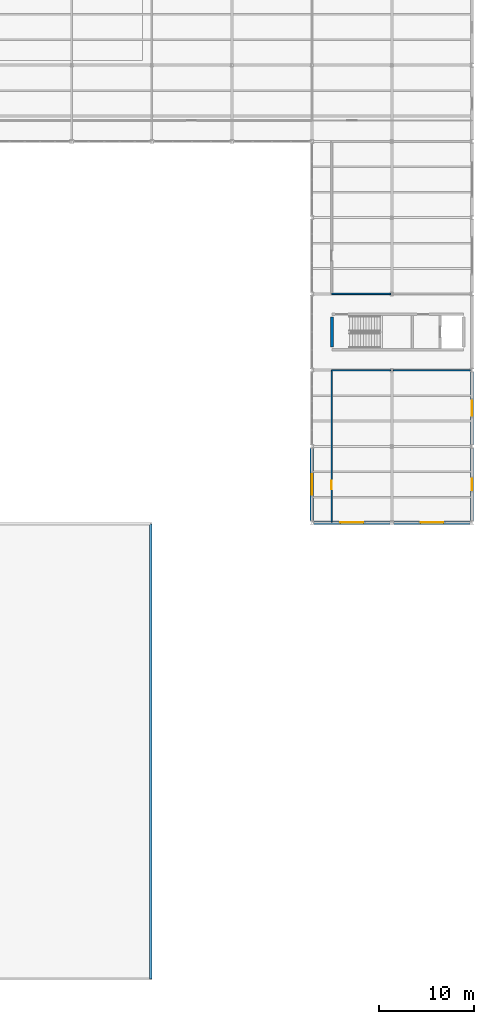
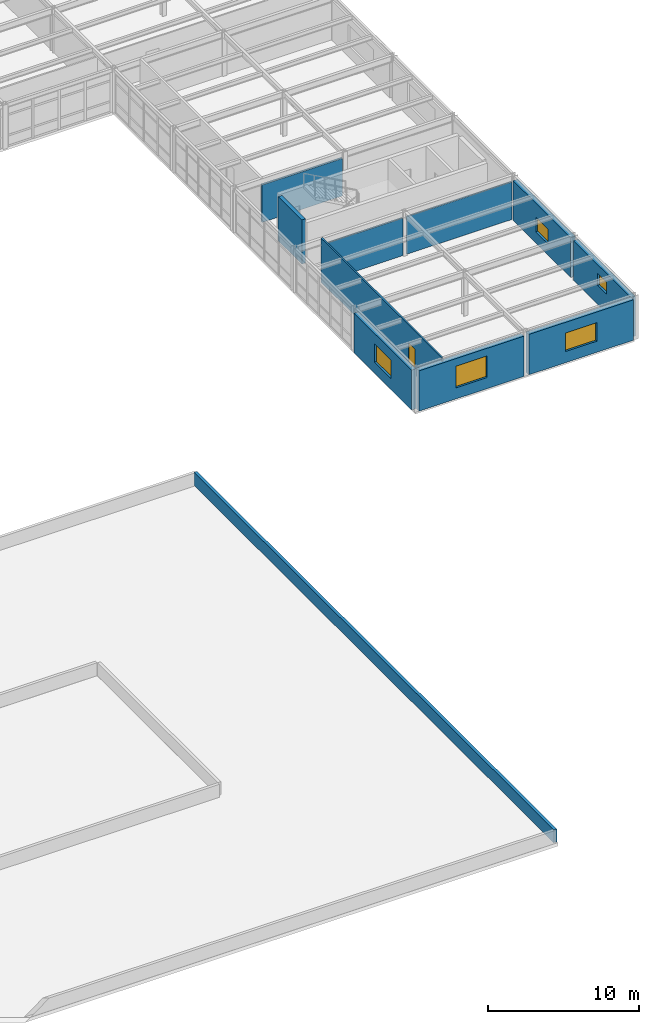
# One storey, part 53 of 96: 11 walls, 5 windows, 1 door, 6 openings.
"""IFC4 building model written with IfcOpenShell, lengths in metres."""

import ifcopenshell
import ifcopenshell.guid

model = None  # the IFC model being written
_history = None  # IfcOwnerHistory: only IFC2X3 demands one
_inside = {}  # id of a spatial element -> (the spatial element, [elements in it])
_under = {}  # id of a project, library or spatial element -> (it, [spatial elements below it])
_declared = {}  # id of a project -> (the project, [libraries it declares])
_typed = {}  # id of a type object -> (the type object, [elements of that type])
_made_of = {}  # id of a material, layer set ... -> (it, [elements and type objects made of it])


def new_model(schema):
    """Start an empty IFC model of exactly this schema.

    Asked for "IFC4X3", IfcOpenShell would pick the latest addendum, in which some entities
    have other attributes; the version numbers below select the first issue.
    IFC2X3 requires an IfcOwnerHistory on every rooted entity: one is made here for all.
    """
    global model, _history
    if schema == "IFC4X3":
        model = ifcopenshell.file(schema_version=(4, 3, 0, 0))
    else:
        model = ifcopenshell.file(schema=schema)
    _inside.clear()
    _under.clear()
    _declared.clear()
    _typed.clear()
    _made_of.clear()
    _history = None
    if model.schema == "IFC2X3":
        org = make("IfcOrganization", Name="unknown")
        user = make(
            "IfcPersonAndOrganization",
            ThePerson=make("IfcPerson", FamilyName="unknown"),
            TheOrganization=org,
        )
        app = make(
            "IfcApplication",
            ApplicationDeveloper=org,
            Version="unknown",
            ApplicationFullName="unknown",
            ApplicationIdentifier="unknown",
        )
        _history = make(
            "IfcOwnerHistory",
            OwningUser=user,
            OwningApplication=app,
            ChangeAction="ADDED",
            CreationDate=0,
        )
    return model


def make(cls, **values):
    """One entity of the class cls with the attributes given. An attribute that is None is left unset."""
    return model.create_entity(
        cls, **{name: value for name, value in values.items() if value is not None}
    )


def rooted(cls, **values):
    """An entity with a GlobalId (a new one), such as an element, a storey or a relation."""
    return make(cls, GlobalId=ifcopenshell.guid.new(), OwnerHistory=_history, **values)


def si_unit(unit_type, name, prefix=None):
    """IfcSIUnit, for example si_unit("LENGTHUNIT", "METRE", prefix="MILLI")."""
    return make("IfcSIUnit", UnitType=unit_type, Prefix=prefix, Name=name)


def assignment(units):
    """IfcUnitAssignment: the units of a project."""
    return None if units is None else make("IfcUnitAssignment", Units=units)


def point(xyz):
    """IfcCartesianPoint."""
    return None if xyz is None else make("IfcCartesianPoint", Coordinates=xyz)


def direction(xyz):
    """IfcDirection."""
    return None if xyz is None else make("IfcDirection", DirectionRatios=xyz)


def frame(location, z_axis=None, x_axis=None):
    """IfcAxis2Placement3D, a coordinate frame: its origin and axes. An axis left out is left unset."""
    return make(
        "IfcAxis2Placement3D",
        Location=point(location),
        Axis=direction(z_axis),
        RefDirection=direction(x_axis),
    )


def frame_2d(location, x_axis=None):
    """IfcAxis2Placement2D, a coordinate frame in the plane: its origin and x axis."""
    return make(
        "IfcAxis2Placement2D", Location=point(location), RefDirection=direction(x_axis)
    )


def origin():
    """The frame at (0, 0, 0) with its axes left unset."""
    return frame((0.0, 0.0, 0.0))


def place(relative_to, where):
    """IfcLocalPlacement: puts the frame where relative to a parent placement (None: the world)."""
    return make(
        "IfcLocalPlacement", PlacementRelTo=relative_to, RelativePlacement=where
    )


def context(
    kind, dimensions, precision=None, world=None, true_north=None, identifier=None
):
    """IfcGeometricRepresentationContext, for example the 3D "Model" context."""
    return make(
        "IfcGeometricRepresentationContext",
        ContextIdentifier=identifier,
        ContextType=kind,
        CoordinateSpaceDimension=dimensions,
        Precision=precision,
        WorldCoordinateSystem=world,
        TrueNorth=true_north,
    )


def subcontext(parent, identifier, kind, view, scale=None):
    """IfcGeometricRepresentationSubContext, for example "Body" below "Model"."""
    return make(
        "IfcGeometricRepresentationSubContext",
        ContextIdentifier=identifier,
        ContextType=kind,
        ParentContext=parent,
        TargetScale=scale,
        TargetView=view,
    )


def project(units=None, contexts=None):
    """IfcProject with its units and contexts."""
    return rooted(
        "IfcProject",
        Name="project",
        RepresentationContexts=contexts,
        UnitsInContext=assignment(units),
    )


def spatial(cls, under=None, at=None, **own):
    """A site, building, storey or space (cls), placed at a placement, below another one or the project."""
    s = rooted(cls, ObjectPlacement=at, **own)
    if under is not None:
        _under.setdefault(under.id(), (under, []))[1].append(s)
    return s


def profile(cls, at=None, kind="AREA", **sizes):
    """A parametric profile (cls). Its sizes go by their IFC names, for example OverallWidth=200.0."""
    return make(cls, ProfileType=kind, Position=at, **sizes)


def rectangle(**sizes):
    """IfcRectangleProfileDef."""
    return profile("IfcRectangleProfileDef", **sizes)


def extrude(swept, where, along, depth):
    """IfcExtrudedAreaSolid: the profile swept, set in the frame where, extruded along a direction by depth."""
    return make(
        "IfcExtrudedAreaSolid",
        SweptArea=swept,
        Position=where,
        ExtrudedDirection=direction(along),
        Depth=depth,
    )


def shape(context_of_items, identifier, shape_type, items):
    """IfcShapeRepresentation: the items that make up one representation, for example the "Body"."""
    return make(
        "IfcShapeRepresentation",
        ContextOfItems=context_of_items,
        RepresentationIdentifier=identifier,
        RepresentationType=shape_type,
        Items=items,
    )


def material(Name=None, Category=None):
    """IfcMaterial."""
    return make("IfcMaterial", Name=Name, Category=Category)


def layer(
    of_material, thickness, ventilated=None, Name=None, Category=None, Priority=None
):
    """IfcMaterialLayer: one layer of a wall or slab, of a material (None: an air gap)."""
    return make(
        "IfcMaterialLayer",
        Material=of_material,
        LayerThickness=thickness,
        IsVentilated=ventilated,
        Name=Name,
        Category=Category,
        Priority=Priority,
    )


def layer_set(layers, Name=None):
    """IfcMaterialLayerSet."""
    return make("IfcMaterialLayerSet", MaterialLayers=layers, LayerSetName=Name)


def made_of(thing, what):
    """Note that an element or type object is made of a material, layer set ...; save() writes the relation."""
    if what is not None:
        _made_of.setdefault(what.id(), (what, []))[1].append(thing)
    return thing


def type_object(cls, material=None, **own):
    """A type object (cls), such as IfcWallType, which elements share."""
    return made_of(rooted(cls, **own), material)


def element(
    cls,
    number,
    at=None,
    inside=None,
    cuts=None,
    type_object=None,
    material=None,
    context=None,
    identifier="Body",
    shape_type=None,
    held_by="IfcProductDefinitionShape",
    body=None,
    shapes=None,
    **own,
):
    """One element of the class cls, such as IfcWall. Its Tag is "e" and its number.

    at: its placement. inside: the storey or other place that contains it. cuts: it is an
    opening in that element (IfcRelVoidsElement). A single representation is given by context,
    identifier, shape_type and body (its items); several are given by shapes. held_by: the class
    of the entity that holds the representations. save() writes the other relations.
    """
    e = rooted(cls, Tag="e%d" % number, ObjectPlacement=at, **own)
    if body is not None:
        shapes = [shape(context, identifier, shape_type, body)]
    if shapes is not None:
        e.Representation = make(held_by, Representations=shapes)
    if inside is not None:
        _inside.setdefault(inside.id(), (inside, []))[1].append(e)
    if cuts is not None:
        rooted(
            "IfcRelVoidsElement", RelatingBuildingElement=cuts, RelatedOpeningElement=e
        )
    if type_object is not None:
        _typed.setdefault(type_object.id(), (type_object, []))[1].append(e)
    return made_of(e, material)


def fill(opening, filler):
    """IfcRelFillsElement: the door or window that sits in an opening."""
    return rooted(
        "IfcRelFillsElement",
        RelatingOpeningElement=opening,
        RelatedBuildingElement=filler,
    )


def aggregate(whole, parts):
    """IfcRelAggregates: a whole, such as a stair, and the parts it consists of."""
    return rooted("IfcRelAggregates", RelatingObject=whole, RelatedObjects=parts)


def save(model, path):
    """Write the relations noted so far, then the file.

    IfcRelAggregates (storeys below a building ...), IfcRelContainedInSpatialStructure (elements
    in a storey), IfcRelDefinesByType, IfcRelAssociatesMaterial and IfcRelDeclares: one each for
    every whole, place, type object, material and project.
    """
    for whole, parts in _under.values():
        aggregate(whole, parts)
    for where, things in _inside.values():
        rooted(
            "IfcRelContainedInSpatialStructure",
            RelatedElements=things,
            RelatingStructure=where,
        )
    for kind, things in _typed.values():
        rooted("IfcRelDefinesByType", RelatedObjects=things, RelatingType=kind)
    for what, things in _made_of.values():
        rooted("IfcRelAssociatesMaterial", RelatedObjects=things, RelatingMaterial=what)
    for by, libraries in _declared.values():
        rooted("IfcRelDeclares", RelatingContext=by, RelatedDefinitions=libraries)
    model.write(path)


model = new_model("IFC4")

# Units and contexts
model_context = context("Model", 3, precision=1e-05, world=origin(), true_north=direction((0.0, 1.0)))
body_context = subcontext(model_context, "Body", "Model", "MODEL_VIEW")
ifc_project = project(units=[si_unit("LENGTHUNIT", "METRE"), si_unit("AREAUNIT", "SQUARE_METRE"), si_unit("VOLUMEUNIT", "CUBIC_METRE"), si_unit("PLANEANGLEUNIT", "RADIAN"), si_unit("MASSUNIT", "GRAM", prefix="KILO")], contexts=[model_context])

# Site, building, storey
site_placement = place(None, origin())
site = spatial("IfcSite", under=ifc_project, at=site_placement, CompositionType="ELEMENT")
building_placement = place(site_placement, origin())
building = spatial("IfcBuilding", under=site, at=building_placement, Name="Kranzveld Transit Interchange", CompositionType="ELEMENT")
storey_placement = place(building_placement, frame((0.0, 0.0, 9.52001953125)))
storey = spatial("IfcBuildingStorey", under=building, at=storey_placement, Name="L02", CompositionType="ELEMENT", Elevation=9.52001953125)

# Walls
ifc_material_1 = material(Name="Clay masonry unit wall, 20 MPa", Category="masonry")
ifc_layer_1 = layer(ifc_material_1, 0.1650390625)
ifc_layer_set_1 = layer_set([ifc_layer_1], Name="Clay masonry unit wall, 20 MPa")
wall_type_1 = type_object("IfcWallType", Name="Acoustic Double-Stud Partition 165", PredefinedType="PARTITIONING", material=ifc_layer_set_1)
wall_1_placement = place(storey_placement, frame((153.280029296875, 80.0, 0.0), z_axis=(0.0, 0.0, 1.0), x_axis=(1.0, 0.0, 0.0)))
element("IfcWall", 1, at=wall_1_placement, inside=storey, type_object=wall_type_1, Name="L02 Partition IW-L02-L02V4E-S-221-0", PredefinedType="PARTITIONING", context=body_context, shape_type="SweptSolid", body=[
    extrude(rectangle(XDim=6.172607421875, YDim=0.1650390625, at=frame_2d((3.08642578125, 0.0))), origin(), (0.0, 0.0, 1.0), 3.036865234375),
])
ifc_material_2 = material(Name="Concrete C40/50", Category="concrete")
ifc_layer_2 = layer(ifc_material_2, 0.300048828125)
ifc_layer_set_2 = layer_set([ifc_layer_2], Name="Concrete C40/50")
wall_type_2 = type_object("IfcWallType", Name="Core Shear Wall RC 300 C40/50", PredefinedType="SHEAR", material=ifc_layer_set_2)
wall_2_placement = place(storey_placement, frame((153.300048828125, 74.43994140625, 0.0), z_axis=(0.0, 0.0, 1.0), x_axis=(0.0, 1.0, 0.0)))
element("IfcWall", 2, at=wall_2_placement, inside=storey, type_object=wall_type_2, Name="L02 Community East Core C4 Shear Wall W", PredefinedType="SHEAR", context=body_context, shape_type="SweptSolid", body=[
    extrude(rectangle(XDim=3.1201171875, YDim=0.300048828125, at=frame_2d((1.56005859375, 0.0))), origin(), (0.0, 0.0, 1.0), 3.570068359375),
])

# Wall, opening, window
ifc_material_3 = material(Name="Pretoria red-purple clinker clay face brick, 35 MPa", Category="masonry")
ifc_layer_3 = layer(ifc_material_3, 0.360107421875)
ifc_layer_set_3 = layer_set([ifc_layer_3], Name="Pretoria red-purple clinker clay face brick, 35 MPa")
wall_type_3 = type_object("IfcWallType", Name="Exterior Cavity Wall Red Clinker 360", PredefinedType="SOLIDWALL", material=ifc_layer_set_3)
wall_3_placement = place(storey_placement, frame((151.38720703125, 56.0, 0.0), z_axis=(0.0, 0.0, 1.0), x_axis=(1.0, 0.0, 0.0)))
wall_3 = element("IfcWall", 3, at=wall_3_placement, inside=storey, type_object=wall_type_3, Name="L02 Clinker Facade Wall 19/H-20/H", PredefinedType="SOLIDWALL", context=body_context, shape_type="SweptSolid", body=[
    extrude(rectangle(XDim=8.025390625, YDim=0.360107421875, at=frame_2d((4.0126953125, 0.0))), origin(), (0.0, 0.0, 1.0), 3.27001953125),
])
opening_1_placement = place(wall_3_placement, frame((2.812744140625, 0.0, 0.89990234375), z_axis=(0.0, 0.0, 1.0), x_axis=(1.0, 0.0, 0.0)))
opening_1 = element("IfcOpeningElement", 4, at=opening_1_placement, cuts=wall_3, Name="Opening W-07", PredefinedType="OPENING", context=body_context, shape_type="SweptSolid", body=[
    extrude(rectangle(XDim=2.39990234375, YDim=1.75, at=frame_2d((1.199951171875, 0.875))), frame((0.0, 0.18994140625, 0.0), z_axis=(0.0, -1.0, 0.0), x_axis=(1.0, 0.0, 0.0)), (0.0, 0.0, 1.0), 0.380126953125),
])
ifc_material_4 = material(Name="Solar-control double glazing", Category="glass")
window_type_1 = type_object("IfcWindowType", Name="Window Civic Double 2400x1750", PartitioningType="DOUBLE_PANEL_VERTICAL", PredefinedType="WINDOW", material=ifc_material_4)
window_1_placement = place(opening_1_placement, origin())
window_1 = element("IfcWindow", 5, at=window_1_placement, inside=storey, type_object=window_type_1, Name="L02 Facade Window 19/H", OverallHeight=1.75, OverallWidth=2.39990234375, PartitioningType="DOUBLE_PANEL_VERTICAL", PredefinedType="WINDOW", context=body_context, shape_type="SweptSolid", body=[
    extrude(rectangle(XDim=2.39990234375, YDim=1.75, at=frame_2d((1.199951171875, 0.875))), frame((0.0, 0.030029296875, 0.0), z_axis=(0.0, -1.0, 0.0), x_axis=(1.0, 0.0, 0.0)), (0.0, 0.0, 1.0), 0.06005859375),
])
fill(opening_1, window_1)

wall_4_placement = place(storey_placement, frame((159.787353515625, 56.0, 0.0), z_axis=(0.0, 0.0, 1.0), x_axis=(1.0, 0.0, 0.0)))
wall_4 = element("IfcWall", 6, at=wall_4_placement, inside=storey, type_object=wall_type_3, Name="L02 Clinker Facade Wall 20/H-21/H", PredefinedType="SOLIDWALL", context=body_context, shape_type="SweptSolid", body=[
    extrude(rectangle(XDim=8.025390625, YDim=0.360107421875, at=frame_2d((4.0126953125, 0.0))), origin(), (0.0, 0.0, 1.0), 3.27001953125),
])
opening_2_placement = place(wall_4_placement, frame((2.812744140625, 0.0, 0.89990234375), z_axis=(0.0, 0.0, 1.0), x_axis=(1.0, 0.0, 0.0)))
opening_2 = element("IfcOpeningElement", 7, at=opening_2_placement, cuts=wall_4, Name="Opening W-08", PredefinedType="OPENING", context=body_context, shape_type="SweptSolid", body=[
    extrude(rectangle(XDim=2.39990234375, YDim=1.5, at=frame_2d((1.199951171875, 0.75))), frame((0.0, 0.18994140625, 0.0), z_axis=(0.0, -1.0, 0.0), x_axis=(1.0, 0.0, 0.0)), (0.0, 0.0, 1.0), 0.380126953125),
])
ifc_material_5 = material(Name="Solar-control double glazing", Category="glass")
window_type_2 = type_object("IfcWindowType", Name="Window Civic Double 2400x1500", PartitioningType="DOUBLE_PANEL_VERTICAL", PredefinedType="WINDOW", material=ifc_material_5)
window_2_placement = place(opening_2_placement, origin())
window_2 = element("IfcWindow", 8, at=window_2_placement, inside=storey, type_object=window_type_2, Name="L02 Facade Window 20/H", OverallHeight=1.5, OverallWidth=2.39990234375, PartitioningType="DOUBLE_PANEL_VERTICAL", PredefinedType="WINDOW", context=body_context, shape_type="SweptSolid", body=[
    extrude(rectangle(XDim=2.39990234375, YDim=1.5, at=frame_2d((1.199951171875, 0.75))), frame((0.0, 0.030029296875, 0.0), z_axis=(0.0, -1.0, 0.0), x_axis=(1.0, 0.0, 0.0)), (0.0, 0.0, 1.0), 0.06005859375),
])
fill(opening_2, window_2)

wall_5_placement = place(storey_placement, frame((151.199951171875, 56.187255859375, 0.0), z_axis=(0.0, 0.0, 1.0), x_axis=(0.0, 1.0, 0.0)))
wall_5 = element("IfcWall", 9, at=wall_5_placement, inside=storey, type_object=wall_type_3, Name="L02 Clinker Facade Wall 19/H-19/J", PredefinedType="SOLIDWALL", context=body_context, shape_type="SweptSolid", body=[
    extrude(rectangle(XDim=7.62548828125, YDim=0.360107421875, at=frame_2d((3.812744140625, 0.0))), origin(), (0.0, 0.0, 1.0), 3.218505859375),
])
opening_3_placement = place(wall_5_placement, frame((2.712646484375, 0.0, 0.89990234375), z_axis=(0.0, 0.0, 1.0), x_axis=(1.0, 0.0, 0.0)))
opening_3 = element("IfcOpeningElement", 10, at=opening_3_placement, cuts=wall_5, Name="Opening W-09", PredefinedType="OPENING", context=body_context, shape_type="SweptSolid", body=[
    extrude(rectangle(XDim=2.199951171875, YDim=1.5, at=frame_2d((1.10009765625, 0.75))), frame((0.0, 0.18994140625, 0.0), z_axis=(0.0, -1.0, 0.0), x_axis=(1.0, 0.0, 0.0)), (0.0, 0.0, 1.0), 0.380126953125),
])
ifc_material_6 = material(Name="Solar-control double glazing", Category="glass")
window_type_3 = type_object("IfcWindowType", Name="Window Office Double 2200x1500", PartitioningType="DOUBLE_PANEL_VERTICAL", PredefinedType="WINDOW", material=ifc_material_6)
window_3_placement = place(opening_3_placement, origin())
window_3 = element("IfcWindow", 11, at=window_3_placement, inside=storey, type_object=window_type_3, Name="L02 Facade Window 19/H", OverallHeight=1.5, OverallWidth=2.199951171875, PartitioningType="DOUBLE_PANEL_VERTICAL", PredefinedType="WINDOW", context=body_context, shape_type="SweptSolid", body=[
    extrude(rectangle(XDim=2.199951171875, YDim=1.5, at=frame_2d((1.10009765625, 0.75))), frame((0.0, 0.030029296875, 0.0), z_axis=(0.0, -1.0, 0.0), x_axis=(1.0, 0.0, 0.0)), (0.0, 0.0, 1.0), 0.06005859375),
])
fill(opening_3, window_3)

wall_6_placement = place(storey_placement, frame((168.0, 56.187255859375, 0.0), z_axis=(0.0, 0.0, 1.0), x_axis=(0.0, 1.0, 0.0)))
wall_6 = element("IfcWall", 12, at=wall_6_placement, inside=storey, type_object=wall_type_3, Name="L02 Clinker Facade Wall 21/H-21/J", PredefinedType="SOLIDWALL", context=body_context, shape_type="SweptSolid", body=[
    extrude(rectangle(XDim=7.62548828125, YDim=0.360107421875, at=frame_2d((3.812744140625, 0.0))), origin(), (0.0, 0.0, 1.0), 3.218505859375),
])
opening_4_placement = place(wall_6_placement, frame((3.212646484375, 0.0, 1.550048828125), z_axis=(0.0, 0.0, 1.0), x_axis=(1.0, 0.0, 0.0)))
opening_4 = element("IfcOpeningElement", 13, at=opening_4_placement, cuts=wall_6, Name="Opening W-19", PredefinedType="OPENING", context=body_context, shape_type="SweptSolid", body=[
    extrude(rectangle(XDim=1.199951171875, YDim=0.949951171875, at=frame_2d((0.60009765625, 0.47509765625))), frame((0.0, 0.18994140625, 0.0), z_axis=(0.0, -1.0, 0.0), x_axis=(1.0, 0.0, 0.0)), (0.0, 0.0, 1.0), 0.380126953125),
])
ifc_material_7 = material(Name="Solar-control double glazing", Category="glass")
window_type_4 = type_object("IfcWindowType", Name="Window Sanitary Frosted 1200x950", PartitioningType="SINGLE_PANEL", PredefinedType="WINDOW", material=ifc_material_7)
window_4_placement = place(opening_4_placement, origin())
window_4 = element("IfcWindow", 14, at=window_4_placement, inside=storey, type_object=window_type_4, Name="L02 Facade Window 21/H", OverallHeight=0.949951171875, OverallWidth=1.199951171875, PartitioningType="SINGLE_PANEL", PredefinedType="WINDOW", context=body_context, shape_type="SweptSolid", body=[
    extrude(rectangle(XDim=1.199951171875, YDim=0.949951171875, at=frame_2d((0.60009765625, 0.47509765625))), frame((0.0, 0.030029296875, 0.0), z_axis=(0.0, -1.0, 0.0), x_axis=(1.0, 0.0, 0.0)), (0.0, 0.0, 1.0), 0.06005859375),
])
fill(opening_4, window_4)

wall_7_placement = place(storey_placement, frame((168.0, 64.187255859375, 0.0), z_axis=(0.0, 0.0, 1.0), x_axis=(0.0, 1.0, 0.0)))
wall_7 = element("IfcWall", 15, at=wall_7_placement, inside=storey, type_object=wall_type_3, Name="L02 Clinker Facade Wall 21/J-21/K", PredefinedType="SOLIDWALL", context=body_context, shape_type="SweptSolid", body=[
    extrude(rectangle(XDim=7.62548828125, YDim=0.360107421875, at=frame_2d((3.812744140625, 0.0))), origin(), (0.0, 0.0, 1.0), 3.218505859375),
])
opening_5_placement = place(wall_7_placement, frame((3.0126953125, 0.0, 0.89990234375), z_axis=(0.0, 0.0, 1.0), x_axis=(1.0, 0.0, 0.0)))
opening_5 = element("IfcOpeningElement", 16, at=opening_5_placement, cuts=wall_7, Name="Opening W-20", PredefinedType="OPENING", context=body_context, shape_type="SweptSolid", body=[
    extrude(rectangle(XDim=1.60009765625, YDim=1.199951171875, at=frame_2d((0.800048828125, 0.60009765625))), frame((0.0, 0.18994140625, 0.0), z_axis=(0.0, -1.0, 0.0), x_axis=(1.0, 0.0, 0.0)), (0.0, 0.0, 1.0), 0.380126953125),
])
ifc_material_8 = material(Name="Solar-control double glazing", Category="glass")
window_type_5 = type_object("IfcWindowType", Name="Window Technical Glazed 1600x1200", PartitioningType="DOUBLE_PANEL_VERTICAL", PredefinedType="WINDOW", material=ifc_material_8)
window_5_placement = place(opening_5_placement, origin())
window_5 = element("IfcWindow", 17, at=window_5_placement, inside=storey, type_object=window_type_5, Name="L02 Facade Window 21/J", OverallHeight=1.199951171875, OverallWidth=1.60009765625, PartitioningType="DOUBLE_PANEL_VERTICAL", PredefinedType="WINDOW", context=body_context, shape_type="SweptSolid", body=[
    extrude(rectangle(XDim=1.60009765625, YDim=1.199951171875, at=frame_2d((0.800048828125, 0.60009765625))), frame((0.0, 0.030029296875, 0.0), z_axis=(0.0, -1.0, 0.0), x_axis=(1.0, 0.0, 0.0)), (0.0, 0.0, 1.0), 0.06005859375),
])
fill(opening_5, window_5)

# Wall, opening, door
ifc_material_9 = material(Name="Clay masonry unit wall, 20 MPa", Category="masonry")
ifc_layer_4 = layer(ifc_material_9, 0.125)
ifc_layer_set_4 = layer_set([ifc_layer_4], Name="Clay masonry unit wall, 20 MPa")
wall_type_4 = type_object("IfcWallType", Name="Internal Blockwork Partition 125", PredefinedType="PARTITIONING", material=ifc_layer_set_4)
wall_8_placement = place(storey_placement, frame((153.280029296875, 56.0400390625, 0.0), z_axis=(0.0, 0.0, 1.0), x_axis=(0.0, 1.0, 0.0)))
wall_8 = element("IfcWall", 18, at=wall_8_placement, inside=storey, type_object=wall_type_4, Name="L02 Partition IW-L02-L02V4E-FRT-220-0", PredefinedType="PARTITIONING", context=body_context, shape_type="SweptSolid", body=[
    extrude(rectangle(XDim=15.9599609375, YDim=0.125, at=frame_2d((7.97998046875, 0.0))), origin(), (0.0, 0.0, 1.0), 3.570068359375),
])
opening_6_placement = place(wall_8_placement, frame((4.3798828125, 0.0, 0.0), z_axis=(0.0, 0.0, 1.0), x_axis=(-1.0, 0.0, 0.0)))
opening_6 = element("IfcOpeningElement", 19, at=opening_6_placement, cuts=wall_8, Name="Opening D-220", PredefinedType="OPENING", context=body_context, shape_type="SweptSolid", body=[
    extrude(rectangle(XDim=0.919921875, YDim=2.1201171875, at=frame_2d((0.4599609375, 1.06005859375))), frame((0.0, 0.072509765625, 0.0), z_axis=(0.0, -1.0, 0.0), x_axis=(1.0, 0.0, 0.0)), (0.0, 0.0, 1.0), 0.14501953125),
])
ifc_material_10 = material(Name="Bronze-anodised thermally broken aluminium", Category="aluminium")
door_type = type_object("IfcDoorType", Name="Consulting Room Door 920x2120", OperationType="NOTDEFINED", PredefinedType="DOOR", material=ifc_material_10)
door_placement = place(opening_6_placement, origin())
door = element("IfcDoor", 20, at=door_placement, inside=storey, type_object=door_type, Name="L02 Interior Door D-220", OperationType="SINGLE_SWING_LEFT", OverallHeight=2.1201171875, OverallWidth=0.919921875, PredefinedType="DOOR", context=body_context, shape_type="SweptSolid", body=[
    extrude(rectangle(XDim=0.919921875, YDim=2.1201171875, at=frame_2d((0.4599609375, 1.06005859375))), frame((0.0, 0.02490234375, 0.0), z_axis=(0.0, -1.0, 0.0), x_axis=(1.0, 0.0, 0.0)), (0.0, 0.0, 1.0), 0.050048828125),
])
fill(opening_6, door)

# Walls
wall_9_placement = place(storey_placement, frame((153.280029296875, 72.0, 0.0), z_axis=(0.0, 0.0, 1.0), x_axis=(1.0, 0.0, 0.0)))
element("IfcWall", 21, at=wall_9_placement, inside=storey, type_object=wall_type_4, Name="L02 Partition IW-L02-L02V4E-N-220-0", PredefinedType="PARTITIONING", context=body_context, shape_type="SweptSolid", body=[
    extrude(rectangle(XDim=6.172607421875, YDim=0.125, at=frame_2d((3.08642578125, 0.0))), origin(), (0.0, 0.0, 1.0), 3.036865234375),
])
wall_10_placement = place(storey_placement, frame((159.747314453125, 72.0, 0.0), z_axis=(0.0, 0.0, 1.0), x_axis=(1.0, 0.0, 0.0)))
element("IfcWall", 22, at=wall_10_placement, inside=storey, type_object=wall_type_4, Name="L02 Partition IW-L02-L02V4E-N-220-1", PredefinedType="PARTITIONING", context=body_context, shape_type="SweptSolid", body=[
    extrude(rectangle(XDim=8.075439453125, YDim=0.125, at=frame_2d((4.03759765625, 0.0))), origin(), (0.0, 0.0, 1.0), 3.036865234375),
])
ifc_material_11 = material(Name="Pretoria red-purple clinker clay face brick, 35 MPa", Category="masonry")
ifc_layer_5 = layer(ifc_material_11, 0.22998046875)
ifc_layer_set_5 = layer_set([ifc_layer_5], Name="Pretoria red-purple clinker clay face brick, 35 MPa")
wall_type_5 = type_object("IfcWallType", Name="Roof Parapet Wall Clinker Brick 230", PredefinedType="PARAPET", material=ifc_layer_set_5)
wall_11_placement = place(storey_placement, frame((134.280029296875, 55.8798828125, 0.0), z_axis=(0.0, 0.0, 1.0), x_axis=(0.0, -1.0, 0.0)))
element("IfcWall", 23, at=wall_11_placement, inside=storey, type_object=wall_type_5, Name="L02 Roof Parapet 016", PredefinedType="PARAPET", context=body_context, shape_type="SweptSolid", body=[
    extrude(rectangle(XDim=47.759765625, YDim=0.22998046875, at=frame_2d((23.8798828125, 0.0))), origin(), (0.0, 0.0, 1.0), 1.050048828125),
])

save(model, "model.ifc")
